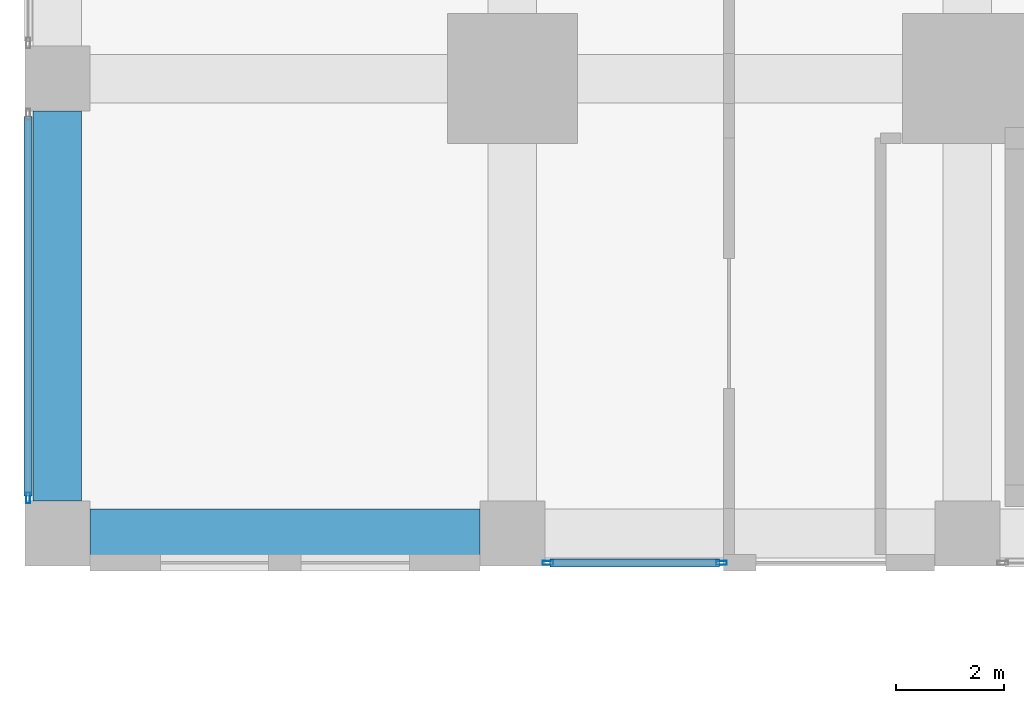
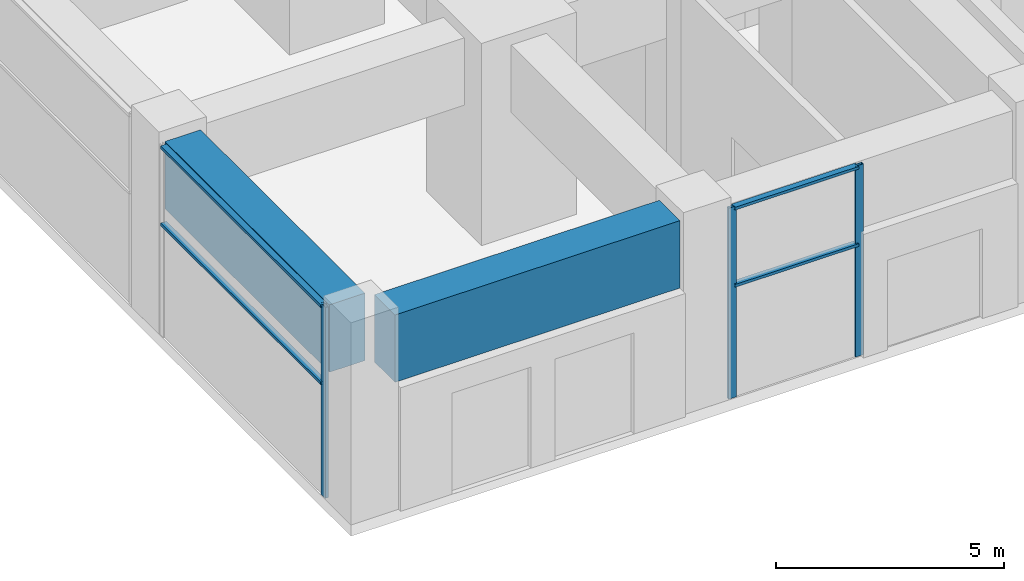
# One storey, part 3 of 81: 7 members, 2 beams, 2 elements without a shape of their own.
"""IFC4 building model written with IfcOpenShell, lengths in metres."""

from ifc_helpers import new_model, si_unit, direction, frame, origin, origin_2d, place, context, subcontext, project, spatial, rectangle, hollow_rectangle, extrude, material, material_profile, profile_set, type_object, element, aggregate, save


model = new_model("IFC4")

# Units and contexts
model_context = context("Model", 3, precision=1e-05, world=origin(), true_north=direction((0.0, 1.0)))
body_context = subcontext(model_context, "Body", "Model", "MODEL_VIEW")
ifc_project = project(units=[si_unit("LENGTHUNIT", "METRE"), si_unit("AREAUNIT", "SQUARE_METRE"), si_unit("VOLUMEUNIT", "CUBIC_METRE"), si_unit("PLANEANGLEUNIT", "RADIAN"), si_unit("MASSUNIT", "GRAM", prefix="KILO")], contexts=[model_context])

# Site, building, storey
site_placement = place(None, origin())
site = spatial("IfcSite", under=ifc_project, at=site_placement, CompositionType="ELEMENT")
building_placement = place(site_placement, origin())
building = spatial("IfcBuilding", under=site, at=building_placement, Name="Rekha Terrace Tower", CompositionType="ELEMENT")
storey_placement = place(building_placement, origin())
storey = spatial("IfcBuildingStorey", under=building, at=storey_placement, Name="L00", CompositionType="ELEMENT", Elevation=0.0)

# Curtain wall, members
ifc_material_1 = material(Name="Aluminium framing", Category="aluminium")
curtain_wall_type = type_object("IfcCurtainWallType", Name="CW4 podium shopfront glazing", PredefinedType="USERDEFINED", material=ifc_material_1)
curtain_wall_1_placement = place(storey_placement, origin())
curtain_wall_1 = element("IfcCurtainWall", 1, at=curtain_wall_1_placement, inside=storey, type_object=curtain_wall_type, Name="CW4 shopfront curtain wall", ObjectType="SHOPFRONT CURTAIN WALL", PredefinedType="USERDEFINED")
ifc_material_2 = material(Name="Aluminium mullion section", Category="aluminium")
ifc_material_profile_1 = material_profile(ifc_material_2, hollow_rectangle(XDim=0.074951171875, YDim=0.199951171875, WallThickness=0.00390625, at=origin_2d()), Name="AL RHS 75x200")
ifc_profile_set_1 = profile_set([ifc_material_profile_1], Name="Aluminium mullion section")
member_type_1 = type_object("IfcMemberType", Name="CW4 mullion RHS 75 x 200", PredefinedType="MULLION", material=ifc_profile_set_1)
member_1_placement = place(storey_placement, frame((9.0576171875, -0.5400390625, 0.0), z_axis=(0.0, 0.0, 1.0), x_axis=(0.0, 1.0, 0.0)))
member_1 = element("IfcMember", 2, at=member_1_placement, type_object=member_type_1, Name="CW4 mullion 1", PredefinedType="MULLION", context=body_context, shape_type="SweptSolid", body=[
    extrude(hollow_rectangle(XDim=0.074951171875, YDim=0.199951171875, WallThickness=0.00390625, at=origin_2d()), origin(), (0.0, 0.0, 1.0), 5.10009765625),
])
member_2_placement = place(storey_placement, frame((12.262451171875, -0.5400390625, 0.0), z_axis=(0.0, 0.0, 1.0), x_axis=(0.0, 1.0, 0.0)))
member_2 = element("IfcMember", 3, at=member_2_placement, type_object=member_type_1, Name="CW4 mullion 2", PredefinedType="MULLION", context=body_context, shape_type="SweptSolid", body=[
    extrude(hollow_rectangle(XDim=0.074951171875, YDim=0.199951171875, WallThickness=0.00390625, at=origin_2d()), origin(), (0.0, 0.0, 1.0), 5.10009765625),
])

# Curtain wall, member
curtain_wall_2_placement = place(storey_placement, origin())
curtain_wall_2 = element("IfcCurtainWall", 4, at=curtain_wall_2_placement, inside=storey, type_object=curtain_wall_type, Name="CW4 shopfront curtain wall", ObjectType="SHOPFRONT CURTAIN WALL", PredefinedType="USERDEFINED")
member_3_placement = place(storey_placement, frame((-0.5400390625, 0.657470703125, 0.0), z_axis=(0.0, 0.0, 1.0), x_axis=(1.0, 0.0, 0.0)))
member_3 = element("IfcMember", 5, at=member_3_placement, type_object=member_type_1, Name="CW4 mullion 2", PredefinedType="MULLION", context=body_context, shape_type="SweptSolid", body=[
    extrude(hollow_rectangle(XDim=0.074951171875, YDim=0.199951171875, WallThickness=0.00390625, at=origin_2d()), origin(), (0.0, 0.0, 1.0), 5.10009765625),
])

# Member
ifc_material_3 = material(Name="Aluminium transom section", Category="aluminium")
ifc_material_profile_2 = material_profile(ifc_material_3, hollow_rectangle(XDim=0.14990234375, YDim=0.074951171875, WallThickness=0.0029296875, at=origin_2d()), Name="AL RHS 150x75")
ifc_profile_set_2 = profile_set([ifc_material_profile_2], Name="Aluminium transom section")
member_type_2 = type_object("IfcMemberType", Name="CW4 transom RHS 75 x 150", PredefinedType="USERDEFINED", material=ifc_profile_set_2)
member_4_placement = place(storey_placement, frame((9.094970703125, -0.5400390625, 3.0), z_axis=(1.0, 0.0, 0.0), x_axis=(0.0, 1.0, 0.0)))
member_4 = element("IfcMember", 6, at=member_4_placement, type_object=member_type_2, Name="CW4 transom 1.2", ObjectType="TRANSOM", PredefinedType="USERDEFINED", context=body_context, shape_type="SweptSolid", body=[
    extrude(hollow_rectangle(XDim=0.14990234375, YDim=0.074951171875, WallThickness=0.0029296875, at=origin_2d()), origin(), (0.0, 0.0, 1.0), 3.130126953125),
])

member_5_placement = place(storey_placement, frame((9.094970703125, -0.5400390625, 5.0625), z_axis=(1.0, 0.0, 0.0), x_axis=(0.0, 1.0, 0.0)))
member_5 = element("IfcMember", 7, at=member_5_placement, type_object=member_type_2, Name="CW4 transom 1.3", ObjectType="TRANSOM", PredefinedType="USERDEFINED", context=body_context, shape_type="SweptSolid", body=[
    extrude(hollow_rectangle(XDim=0.14990234375, YDim=0.074951171875, WallThickness=0.0029296875, at=origin_2d()), origin(), (0.0, 0.0, 1.0), 3.130126953125),
])

aggregate(curtain_wall_1, [member_1, member_2, member_4, member_5])

member_6_placement = place(storey_placement, frame((-0.5400390625, 7.705078125, 3.0), z_axis=(0.0, -1.0, 0.0), x_axis=(1.0, 0.0, 0.0)))
member_6 = element("IfcMember", 8, at=member_6_placement, type_object=member_type_2, Name="CW4 transom 1.2", ObjectType="TRANSOM", PredefinedType="USERDEFINED", context=body_context, shape_type="SweptSolid", body=[
    extrude(hollow_rectangle(XDim=0.14990234375, YDim=0.074951171875, WallThickness=0.0029296875, at=origin_2d()), origin(), (0.0, 0.0, 1.0), 7.010009765625),
])

member_7_placement = place(storey_placement, frame((-0.5400390625, 7.705078125, 5.0625), z_axis=(0.0, -1.0, 0.0), x_axis=(1.0, 0.0, 0.0)))
member_7 = element("IfcMember", 9, at=member_7_placement, type_object=member_type_2, Name="CW4 transom 1.3", ObjectType="TRANSOM", PredefinedType="USERDEFINED", context=body_context, shape_type="SweptSolid", body=[
    extrude(hollow_rectangle(XDim=0.14990234375, YDim=0.074951171875, WallThickness=0.0029296875, at=origin_2d()), origin(), (0.0, 0.0, 1.0), 7.010009765625),
])

aggregate(curtain_wall_2, [member_3, member_6, member_7])

# Beams
ifc_material_4 = material(Name="Concrete M60", Category="concrete")
ifc_material_profile_3 = material_profile(ifc_material_4, rectangle(XDim=0.89990234375, YDim=1.800048828125, at=origin_2d()), Name="RC 900x1800")
ifc_profile_set_3 = profile_set([ifc_material_profile_3], Name="Concrete M60")
beam_type = type_object("IfcBeamType", Name="G1 900x1800 podium floor beam", PredefinedType="BEAM", material=ifc_profile_set_3)
for number, where, z_axis, x_axis, name in (
    (10, (0.60009765625, 0.0, 4.199951171875), (1.0, 0.0, 0.0), (0.0, 1.0, 0.0), "Beam G1 1A-2A under L01"),
    (11, (0.0, 0.60009765625, 4.199951171875), (0.0, 1.0, 0.0), (-1.0, 0.0, 0.0), "Beam G1 1A-1B under L01"),
):
    element("IfcBeam", number, at=place(storey_placement, frame(where, z_axis=z_axis, x_axis=x_axis)), inside=storey, type_object=beam_type, Name=name, PredefinedType="BEAM", context=body_context, shape_type="SweptSolid", body=[
        extrude(rectangle(XDim=0.89990234375, YDim=1.800048828125, at=origin_2d()), origin(), (0.0, 0.0, 1.0), 7.199951171875),
    ])

save(model, "model.ifc")
